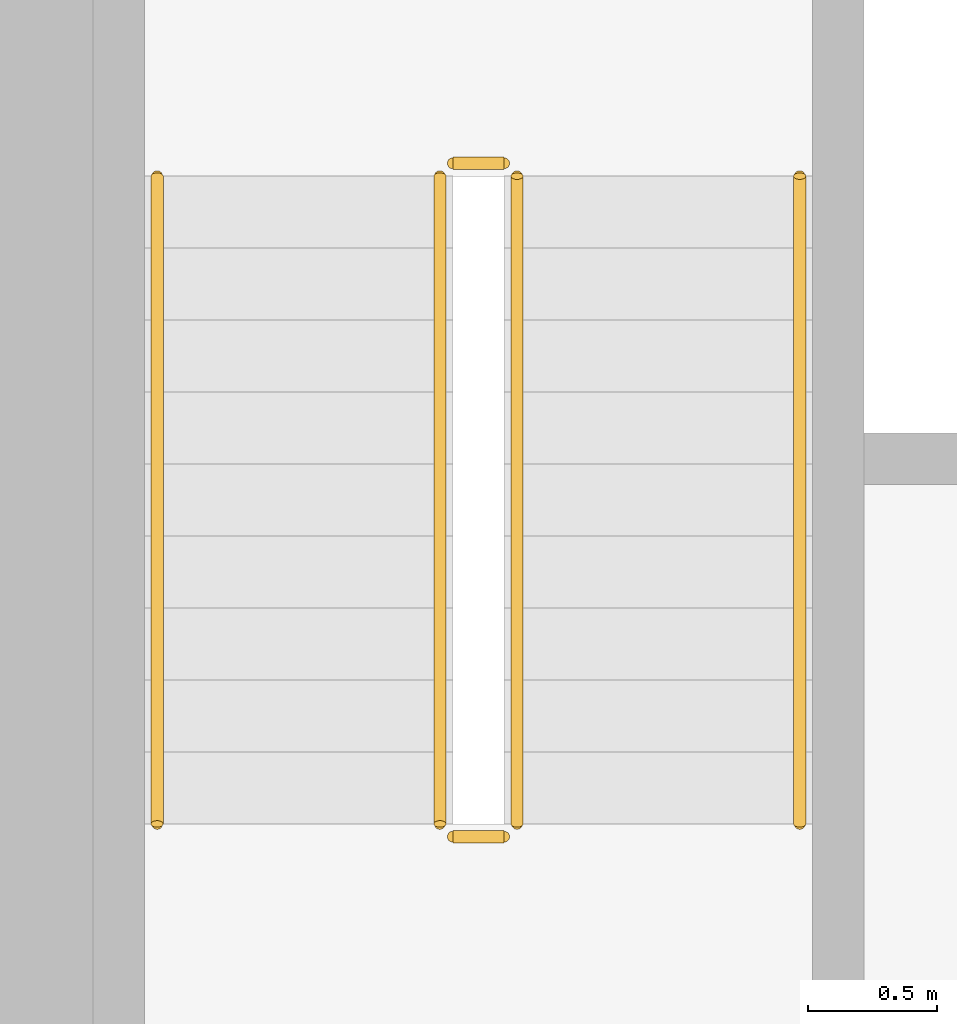
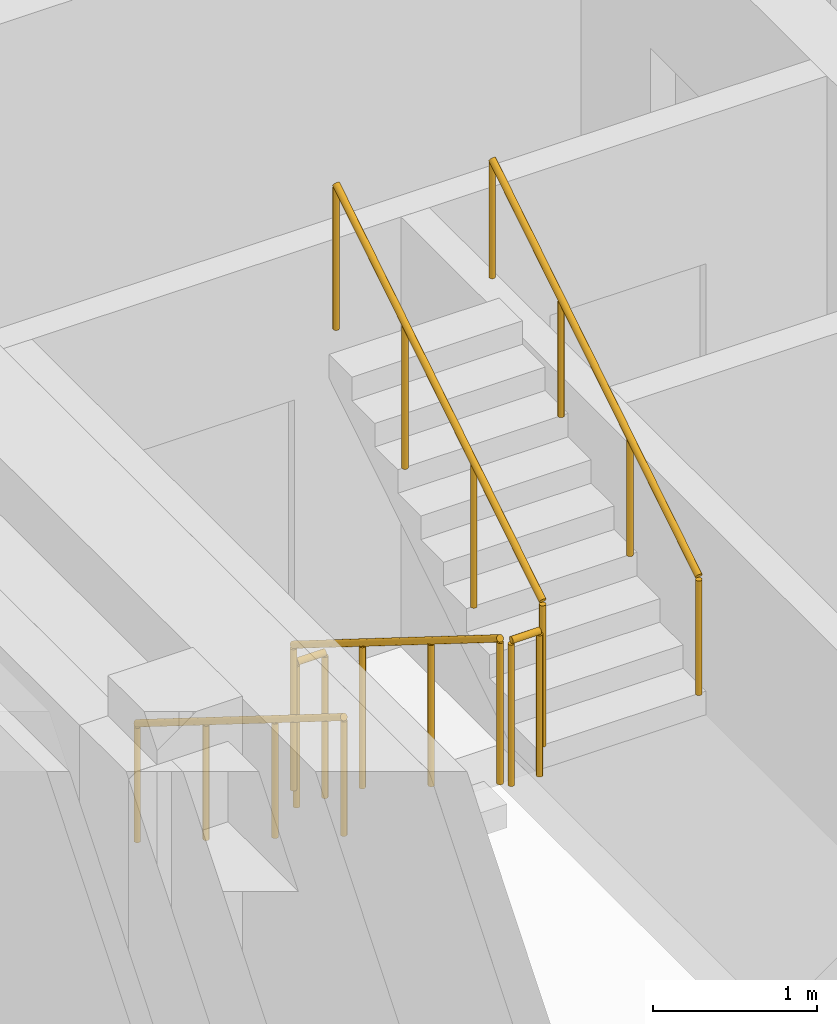
# One storey, part 7 of 8: 6 railings.
"""IFC4 building model written with IfcOpenShell, lengths in metres."""

from ifc_helpers import new_model, si_unit, direction, frame, origin, origin_2d, place, context, subcontext, project, spatial, circle, extrude, material, type_object, element, save


model = new_model("IFC4")

# Units and contexts
model_context = context("Model", 3, precision=1e-05, world=origin(), true_north=direction((0.0, 1.0)))
body_context = subcontext(model_context, "Body", "Model", "MODEL_VIEW")
ifc_project = project(units=[si_unit("LENGTHUNIT", "METRE"), si_unit("AREAUNIT", "SQUARE_METRE"), si_unit("VOLUMEUNIT", "CUBIC_METRE"), si_unit("PLANEANGLEUNIT", "RADIAN"), si_unit("MASSUNIT", "GRAM", prefix="KILO")], contexts=[model_context])

# Site, building, storey
site_placement = place(None, origin())
site = spatial("IfcSite", under=ifc_project, at=site_placement, CompositionType="ELEMENT")
building_placement = place(site_placement, origin())
building = spatial("IfcBuilding", under=site, at=building_placement, Name="Kiln Ring Residences", CompositionType="ELEMENT")
storey_placement = place(building_placement, frame((0.0, 0.0, 317.39990234375)))
storey = spatial("IfcBuildingStorey", under=building, at=storey_placement, Name="L82 Crown", CompositionType="ELEMENT", Elevation=317.39990234375)

# Railings
ifc_material_1 = material(Name="Stainless steel", Category="steel")
railing_type_1 = type_object("IfcRailingType", Name="CORE-STAIR-GUARD", PredefinedType="GUARDRAIL", material=ifc_material_1)
railing_1_placement = place(storey_placement, frame((-22.25, 8.39990234375, 0.175048828125)))
element("IfcRailing", 1, at=railing_1_placement, inside=storey, type_object=railing_type_1, Name="L82 Crown W-STN stair guard 1", PredefinedType="GUARDRAIL", context=body_context, shape_type="SweptSolid", body=[
    extrude(circle(Radius=0.02392578125, at=origin_2d()), frame((0.0, 0.0, 1.076171875), z_axis=(0.0, -0.848007534815, 0.529984170421), x_axis=(1.0, 0.0, 0.0)), (0.0, 0.0, 1.0), 2.9716796875),
    extrude(circle(Radius=0.02099609375, at=origin_2d()), origin(), (0.0, 0.0, 1.0), 1.052001953125),
    extrude(circle(Radius=0.02099609375, at=origin_2d()), frame((0.0, -0.840087890625, 0.52490234375)), (0.0, 0.0, 1.0), 1.052001953125),
    extrude(circle(Radius=0.02099609375, at=origin_2d()), frame((0.0, -1.679931640625, 1.050048828125)), (0.0, 0.0, 1.0), 1.052001953125),
    extrude(circle(Radius=0.02099609375, at=origin_2d()), frame((0.0, -2.52001953125, 1.574951171875)), (0.0, 0.0, 1.0), 1.052001953125),
])
railing_2_placement = place(storey_placement, frame((-22.199951171875, 5.830078125, 1.75)))
element("IfcRailing", 2, at=railing_2_placement, inside=storey, type_object=railing_type_1, Name="L82 Crown W-STN stair guard 2", PredefinedType="GUARDRAIL", context=body_context, shape_type="SweptSolid", body=[
    extrude(circle(Radius=0.02392578125, at=origin_2d()), frame((0.0, 0.0, 1.076171875), z_axis=(1.0, 0.0, 0.0), x_axis=(0.0, 1.0, 0.0)), (0.0, 0.0, 1.0), 0.199951171875),
    extrude(circle(Radius=0.02099609375, at=origin_2d()), origin(), (0.0, 0.0, 1.0), 1.052001953125),
    extrude(circle(Radius=0.02099609375, at=origin_2d()), frame((0.199951171875, 0.0, 0.0)), (0.0, 0.0, 1.0), 1.052001953125),
])
railing_3_placement = place(storey_placement, frame((-21.949951171875, 5.8798828125, 1.925048828125)))
element("IfcRailing", 3, at=railing_3_placement, inside=storey, type_object=railing_type_1, Name="L82 Crown W-STN stair guard 3", PredefinedType="GUARDRAIL", context=body_context, shape_type="SweptSolid", body=[
    extrude(circle(Radius=0.02392578125, at=origin_2d()), frame((0.0, 0.0, 1.076171875), z_axis=(0.0, 0.848007534815, 0.529984170421), x_axis=(-1.0, 0.0, 0.0)), (0.0, 0.0, 1.0), 2.9716796875),
    extrude(circle(Radius=0.02099609375, at=origin_2d()), origin(), (0.0, 0.0, 1.0), 1.052001953125),
    extrude(circle(Radius=0.02099609375, at=origin_2d()), frame((0.0, 0.840087890625, 0.52490234375)), (0.0, 0.0, 1.0), 1.052001953125),
    extrude(circle(Radius=0.02099609375, at=origin_2d()), frame((0.0, 1.679931640625, 1.050048828125)), (0.0, 0.0, 1.0), 1.052001953125),
    extrude(circle(Radius=0.02099609375, at=origin_2d()), frame((0.0, 2.52001953125, 1.574951171875)), (0.0, 0.0, 1.0), 1.052001953125),
])
railing_4_placement = place(storey_placement, frame((-22.199951171875, 8.449951171875, 0.0)))
element("IfcRailing", 4, at=railing_4_placement, inside=storey, type_object=railing_type_1, Name="L82 Crown W-STN stair guard 4", PredefinedType="GUARDRAIL", context=body_context, shape_type="SweptSolid", body=[
    extrude(circle(Radius=0.02392578125, at=origin_2d()), frame((0.0, 0.0, 1.076171875), z_axis=(1.0, 0.0, 0.0), x_axis=(0.0, 1.0, 0.0)), (0.0, 0.0, 1.0), 0.199951171875),
    extrude(circle(Radius=0.02099609375, at=origin_2d()), origin(), (0.0, 0.0, 1.0), 1.052001953125),
    extrude(circle(Radius=0.02099609375, at=origin_2d()), frame((0.199951171875, 0.0, 0.0)), (0.0, 0.0, 1.0), 1.052001953125),
])
ifc_material_2 = material(Name="Stainless steel", Category="steel")
railing_type_2 = type_object("IfcRailingType", Name="CORE-STAIR-HANDRAIL", PredefinedType="HANDRAIL", material=ifc_material_2)
railing_5_placement = place(storey_placement, frame((-23.35009765625, 8.39990234375, 0.175048828125)))
element("IfcRailing", 5, at=railing_5_placement, inside=storey, type_object=railing_type_2, Name="L82 Crown W-STN stair handrail 1", PredefinedType="HANDRAIL", context=body_context, shape_type="SweptSolid", body=[
    extrude(circle(Radius=0.02392578125, at=origin_2d()), frame((0.0, 0.0, 0.8759765625), z_axis=(0.0, -0.848007534815, 0.529984170421), x_axis=(1.0, 0.0, 0.0)), (0.0, 0.0, 1.0), 2.9716796875),
    extrude(circle(Radius=0.02099609375, at=origin_2d()), origin(), (0.0, 0.0, 1.0), 0.851806640625),
    extrude(circle(Radius=0.02099609375, at=origin_2d()), frame((0.0, -0.840087890625, 0.52490234375)), (0.0, 0.0, 1.0), 0.851806640625),
    extrude(circle(Radius=0.02099609375, at=origin_2d()), frame((0.0, -1.679931640625, 1.050048828125)), (0.0, 0.0, 1.0), 0.851806640625),
    extrude(circle(Radius=0.02099609375, at=origin_2d()), frame((0.0, -2.52001953125, 1.574951171875)), (0.0, 0.0, 1.0), 0.851806640625),
])
railing_6_placement = place(storey_placement, frame((-20.85009765625, 5.8798828125, 1.925048828125)))
element("IfcRailing", 6, at=railing_6_placement, inside=storey, type_object=railing_type_2, Name="L82 Crown W-STN stair handrail 2", PredefinedType="HANDRAIL", context=body_context, shape_type="SweptSolid", body=[
    extrude(circle(Radius=0.02392578125, at=origin_2d()), frame((0.0, 0.0, 0.8759765625), z_axis=(0.0, 0.848007534815, 0.529984170421), x_axis=(-1.0, 0.0, 0.0)), (0.0, 0.0, 1.0), 2.9716796875),
    extrude(circle(Radius=0.02099609375, at=origin_2d()), origin(), (0.0, 0.0, 1.0), 0.851806640625),
    extrude(circle(Radius=0.02099609375, at=origin_2d()), frame((0.0, 0.840087890625, 0.52490234375)), (0.0, 0.0, 1.0), 0.851806640625),
    extrude(circle(Radius=0.02099609375, at=origin_2d()), frame((0.0, 1.679931640625, 1.050048828125)), (0.0, 0.0, 1.0), 0.851806640625),
    extrude(circle(Radius=0.02099609375, at=origin_2d()), frame((0.0, 2.52001953125, 1.574951171875)), (0.0, 0.0, 1.0), 0.851806640625),
])

save(model, "model.ifc")
